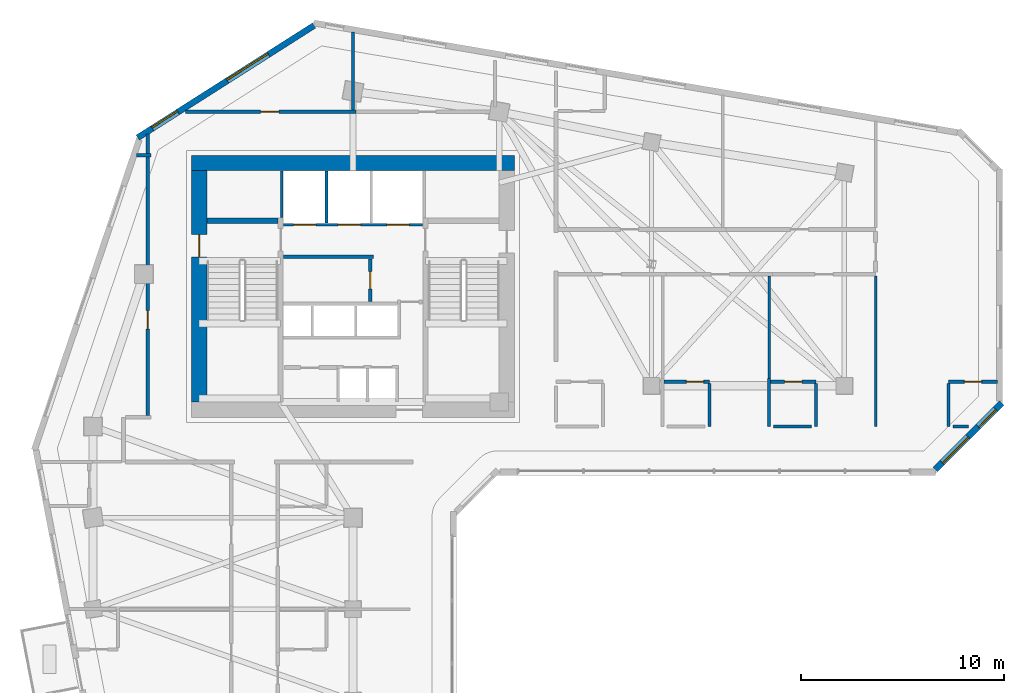
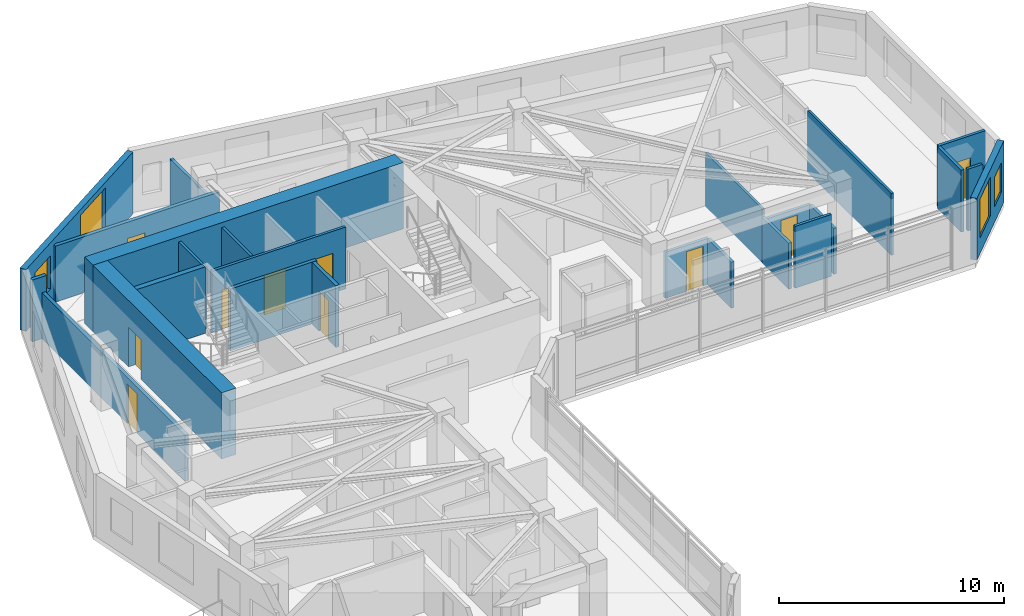
# One storey, part 7 of 12: 25 walls, 10 doors, 4 windows, 14 openings.
"""IFC4 building model written with IfcOpenShell, lengths in metres."""

from ifc_helpers import new_model, si_unit, direction, frame, frame_2d, origin, place, context, subcontext, project, spatial, rectangle, extrude, source, transform, mapped, material, layer, layer_set, type_object, element, fill, save


model = new_model("IFC4")

# Units and contexts
model_context = context("Model", 3, precision=1e-05, world=origin(), true_north=direction((0.0, 1.0)))
body_context = subcontext(model_context, "Body", "Model", "MODEL_VIEW")
ifc_project = project(units=[si_unit("LENGTHUNIT", "METRE"), si_unit("AREAUNIT", "SQUARE_METRE"), si_unit("VOLUMEUNIT", "CUBIC_METRE"), si_unit("PLANEANGLEUNIT", "RADIAN"), si_unit("MASSUNIT", "GRAM", prefix="KILO")], contexts=[model_context])

# Site, building, storey
site_placement = place(None, origin())
site = spatial("IfcSite", under=ifc_project, at=site_placement, CompositionType="ELEMENT")
building_placement = place(site_placement, origin())
building = spatial("IfcBuilding", under=site, at=building_placement, Name="Calvemar Wedge Station Tower", CompositionType="ELEMENT")
storey_placement = place(building_placement, frame((0.0, 0.0, 121.39990234375)))
storey = spatial("IfcBuildingStorey", under=building, at=storey_placement, Name="L29", CompositionType="ELEMENT", Elevation=121.39990234375)

# Walls
ifc_material_1 = material(Name="Concrete C50", Category="concrete")
ifc_layer_1 = layer(ifc_material_1, 0.260009765625)
ifc_layer_set_1 = layer_set([ifc_layer_1], Name="Concrete C50")
wall_type_1 = type_object("IfcWallType", Name="SW-CORE-260", PredefinedType="SHEAR", material=ifc_layer_set_1)
wall_1_placement = place(storey_placement, frame((16.60009765625, 43.1298828125, 0.0), z_axis=(0.0, 0.0, 1.0), x_axis=(1.0, 0.0, 0.0)))
element("IfcWall", 1, at=wall_1_placement, inside=storey, type_object=wall_type_1, Name="Storey L29 Core Shear Wall STC1-N", PredefinedType="SHEAR", context=body_context, shape_type="SweptSolid", body=[
    extrude(rectangle(XDim=3.5, YDim=0.260009765625, at=frame_2d((1.75, 0.0))), origin(), (0.0, 0.0, 1.0), 3.60009765625),
])
ifc_material_2 = material(Name="Concrete C70", Category="concrete")
ifc_layer_2 = layer(ifc_material_2, 0.75)
ifc_layer_set_2 = layer_set([ifc_layer_2], Name="Concrete C70")
wall_type_2 = type_object("IfcWallType", Name="SW-CORE-750", PredefinedType="SHEAR", material=ifc_layer_set_2)
wall_2_placement = place(storey_placement, frame((15.85009765625, 45.97509765625, 0.0), z_axis=(0.0, 0.0, 1.0), x_axis=(1.0, 0.0, 0.0)))
element("IfcWall", 2, at=wall_2_placement, inside=storey, type_object=wall_type_2, Name="Storey L29 Core Shear Wall N", PredefinedType="SHEAR", context=body_context, shape_type="SweptSolid", body=[
    extrude(rectangle(XDim=15.89990234375, YDim=0.75, at=frame_2d((7.949951171875, 0.0))), origin(), (0.0, 0.0, 1.0), 3.60009765625),
])

# Wall, opening, door
wall_3_placement = place(storey_placement, frame((16.22509765625, 34.199951171875, 0.0), z_axis=(0.0, 0.0, 1.0), x_axis=(0.0, 1.0, 0.0)))
wall_3 = element("IfcWall", 3, at=wall_3_placement, inside=storey, type_object=wall_type_2, Name="Storey L29 Core Shear Wall W", PredefinedType="SHEAR", context=body_context, shape_type="SweptSolid", body=[
    extrude(rectangle(XDim=11.400146484375, YDim=0.75, at=frame_2d((5.7001953125, 0.0))), origin(), (0.0, 0.0, 1.0), 3.60009765625),
])
shared_shape_1 = source(origin(), body_context, "Body", "SweptSolid", [
    extrude(rectangle(XDim=1.10009765625, YDim=2.14990234375, at=frame_2d((0.550048828125, 1.074951171875))), frame((0.0, 0.385009765625, 0.0), z_axis=(0.0, -1.0, 0.0), x_axis=(1.0, 0.0, 0.0)), (0.0, 0.0, 1.0), 0.77001953125),
])
opening_1_placement = place(wall_3_placement, frame((7.14990234375, 0.0, 0.0)))
opening_1 = element("IfcOpeningElement", 4, at=opening_1_placement, cuts=wall_3, Name="Opening FD-90", PredefinedType="OPENING", context=body_context, shape_type="MappedRepresentation", body=[
    mapped(shared_shape_1, transform((0.0, 0.0, 0.0), scale=1.0)),
])
ifc_material_3 = material(Name="Galvanized fire-rated steel door leaf P-90", Category="steel")
door_type_1 = type_object("IfcDoorType", Name="DR-FD90-1100", OperationType="NOTDEFINED", PredefinedType="DOOR", material=ifc_material_3)
shared_shape_2 = source(origin(), body_context, "Body", "SweptSolid", [
    extrude(rectangle(XDim=1.10009765625, YDim=2.14990234375, at=frame_2d((0.550048828125, 1.074951171875))), frame((0.0, 0.02490234375, 0.0), z_axis=(0.0, -1.0, 0.0), x_axis=(1.0, 0.0, 0.0)), (0.0, 0.0, 1.0), 0.050048828125),
])
door_1_placement = place(opening_1_placement, origin())
door_1 = element("IfcDoor", 5, at=door_1_placement, inside=storey, type_object=door_type_1, Name="L29 West Corridor to Exit Stair ST-C1 Door", OperationType="SINGLE_SWING_LEFT", OverallHeight=2.14990234375, OverallWidth=1.10009765625, PredefinedType="DOOR", context=body_context, shape_type="MappedRepresentation", body=[
    mapped(shared_shape_2, transform((0.0, 0.0, 0.0), scale=1.0)),
])
fill(opening_1, door_1)

# Wall
ifc_material_4 = material(Name="Double-stud fire-rated corridor partition")
ifc_layer_3 = layer(ifc_material_4, 0.179931640625)
ifc_layer_set_3 = layer_set([ifc_layer_3], Name="Double-stud fire-rated corridor partition")
wall_type_3 = type_object("IfcWallType", Name="W-CORR-180", PredefinedType="PARTITIONING", material=ifc_layer_set_3)
wall_4_placement = place(storey_placement, frame((24.81005859375, 41.35009765625, 0.0), z_axis=(0.0, 0.0, 1.0), x_axis=(-1.0, 0.0, 0.0)))
element("IfcWall", 6, at=wall_4_placement, inside=storey, type_object=wall_type_3, Name="Storey L29 Interior Partition WL-L29-001", PredefinedType="PARTITIONING", context=body_context, shape_type="SweptSolid", body=[
    extrude(rectangle(XDim=4.43017578125, YDim=0.179931640625, at=frame_2d((2.215087890625, 0.0))), origin(), (0.0, 0.0, 1.0), 3.35009765625),
])

# Wall, opening, door
wall_5_placement = place(storey_placement, frame((24.64990234375, 41.256103515625, 0.0), z_axis=(0.0, 0.0, 1.0), x_axis=(0.0, -1.0, 0.0)))
wall_5 = element("IfcWall", 7, at=wall_5_placement, inside=storey, type_object=wall_type_3, Name="Storey L29 Interior Partition WL-L29-002", PredefinedType="PARTITIONING", context=body_context, shape_type="SweptSolid", body=[
    extrude(rectangle(XDim=2.106201171875, YDim=0.179931640625, at=frame_2d((1.05322265625, 0.0))), origin(), (0.0, 0.0, 1.0), 3.35009765625),
])
shared_shape_3 = source(origin(), body_context, "Body", "SweptSolid", [
    extrude(rectangle(XDim=0.85009765625, YDim=2.14990234375, at=frame_2d((0.425048828125, 1.074951171875))), frame((0.0, 0.10009765625, 0.0), z_axis=(0.0, -1.0, 0.0), x_axis=(1.0, 0.0, 0.0)), (0.0, 0.0, 1.0), 0.199951171875),
])
opening_2_placement = place(wall_5_placement, frame((0.6279296875, 0.0, 0.0)))
opening_2 = element("IfcOpeningElement", 8, at=opening_2_placement, cuts=wall_5, Name="Opening FD-60S", PredefinedType="OPENING", context=body_context, shape_type="MappedRepresentation", body=[
    mapped(shared_shape_3, transform((0.0, 0.0, 0.0), scale=1.0)),
])
ifc_material_5 = material(Name="Fire-rated steel and hardwood service door EI 60", Category="steel")
door_type_2 = type_object("IfcDoorType", Name="DR-CORE-FD60-850", OperationType="NOTDEFINED", PredefinedType="DOOR", material=ifc_material_5)
shared_shape_4 = source(origin(), body_context, "Body", "SweptSolid", [
    extrude(rectangle(XDim=0.85009765625, YDim=2.14990234375, at=frame_2d((0.425048828125, 1.074951171875))), frame((0.0, 0.02490234375, 0.0), z_axis=(0.0, -1.0, 0.0), x_axis=(1.0, 0.0, 0.0)), (0.0, 0.0, 1.0), 0.050048828125),
])
door_2_placement = place(opening_2_placement, origin())
door_2 = element("IfcDoor", 9, at=door_2_placement, inside=storey, type_object=door_type_2, Name="L29 Cleaner and Linen Store Door", OperationType="SINGLE_SWING_LEFT", OverallHeight=2.14990234375, OverallWidth=0.85009765625, PredefinedType="DOOR", context=body_context, shape_type="MappedRepresentation", body=[
    mapped(shared_shape_4, transform((0.0, 0.0, 0.0), scale=1.0)),
])
fill(opening_2, door_2)

wall_6_placement = place(storey_placement, frame((13.699951171875, 33.5439453125, 0.0), z_axis=(0.0, 0.0, 1.0), x_axis=(0.0, 1.0, 0.0)))
wall_6 = element("IfcWall", 10, at=wall_6_placement, inside=storey, type_object=wall_type_3, Name="Storey L29 Interior Partition WL-L29-010", PredefinedType="PARTITIONING", context=body_context, shape_type="SweptSolid", body=[
    extrude(rectangle(XDim=13.860107421875, YDim=0.179931640625, at=frame_2d((6.93017578125, 0.0))), origin(), (0.0, 0.0, 1.0), 2.4921875),
])
shared_shape_5 = source(origin(), body_context, "Body", "SweptSolid", [
    extrude(rectangle(XDim=0.89990234375, YDim=2.14990234375, at=frame_2d((0.449951171875, 1.074951171875))), frame((0.0, 0.10009765625, 0.0), z_axis=(0.0, -1.0, 0.0), x_axis=(1.0, 0.0, 0.0)), (0.0, 0.0, 1.0), 0.199951171875),
])
opening_3_placement = place(wall_6_placement, frame((4.252685546875, 0.0, 0.0)))
opening_3 = element("IfcOpeningElement", 11, at=opening_3_placement, cuts=wall_6, Name="Opening D-01", PredefinedType="OPENING", context=body_context, shape_type="MappedRepresentation", body=[
    mapped(shared_shape_5, transform((0.0, 0.0, 0.0), scale=1.0)),
])
ifc_material_6 = material(Name="Architectural hardwood acoustic swing door", Category="wood")
door_type_3 = type_object("IfcDoorType", Name="DR-INT-900", OperationType="NOTDEFINED", PredefinedType="DOOR", material=ifc_material_6)
shared_shape_6 = source(origin(), body_context, "Body", "SweptSolid", [
    extrude(rectangle(XDim=0.89990234375, YDim=2.14990234375, at=frame_2d((0.449951171875, 1.074951171875))), frame((0.0, 0.02490234375, 0.0), z_axis=(0.0, -1.0, 0.0), x_axis=(1.0, 0.0, 0.0)), (0.0, 0.0, 1.0), 0.050048828125),
])
door_3_placement = place(opening_3_placement, origin())
door_3 = element("IfcDoor", 12, at=door_3_placement, inside=storey, type_object=door_type_3, Name="L29 Executive Lounge Door", OperationType="SINGLE_SWING_RIGHT", OverallHeight=2.14990234375, OverallWidth=0.89990234375, PredefinedType="DOOR", context=body_context, shape_type="MappedRepresentation", body=[
    mapped(shared_shape_6, transform((0.0, 0.0, 0.0), scale=1.0)),
])
fill(opening_3, door_3)

# Wall
wall_7_placement = place(storey_placement, frame((13.860107421875, 46.35009765625, 0.0), z_axis=(0.0, 0.0, 1.0), x_axis=(-1.0, 0.0, 0.0)))
element("IfcWall", 13, at=wall_7_placement, inside=storey, type_object=wall_type_3, Name="Storey L29 Interior Partition WL-L29-011", PredefinedType="PARTITIONING", context=body_context, shape_type="SweptSolid", body=[
    extrude(rectangle(XDim=0.73486328125, YDim=0.179931640625, at=frame_2d((0.367431640625, 0.0))), origin(), (0.0, 0.0, 1.0), 3.35009765625),
])

# Wall, opening, door
wall_8_placement = place(storey_placement, frame((15.552490234375, 48.5, 0.0), z_axis=(0.0, 0.0, 1.0), x_axis=(1.0, 0.0, 0.0)))
wall_8 = element("IfcWall", 14, at=wall_8_placement, inside=storey, type_object=wall_type_3, Name="Storey L29 Interior Partition WL-L29-012", PredefinedType="PARTITIONING", context=body_context, shape_type="SweptSolid", body=[
    extrude(rectangle(XDim=8.407470703125, YDim=0.179931640625, at=frame_2d((4.20361328125, 0.0))), origin(), (0.0, 0.0, 1.0), 3.0341796875),
])
opening_4_placement = place(wall_8_placement, frame((3.69287109375, 0.0, 0.0)))
opening_4 = element("IfcOpeningElement", 15, at=opening_4_placement, cuts=wall_8, Name="Opening D-01", PredefinedType="OPENING", context=body_context, shape_type="MappedRepresentation", body=[
    mapped(shared_shape_5, transform((0.0, 0.0, 0.0), scale=1.0)),
])
door_4_placement = place(opening_4_placement, origin())
door_4 = element("IfcDoor", 16, at=door_4_placement, inside=storey, type_object=door_type_3, Name="L29 Business Centre Door", OperationType="SINGLE_SWING_LEFT", OverallHeight=2.14990234375, OverallWidth=0.89990234375, PredefinedType="DOOR", context=body_context, shape_type="MappedRepresentation", body=[
    mapped(shared_shape_6, transform((0.0, 0.0, 0.0), scale=1.0)),
])
fill(opening_4, door_4)

# Wall, openings, windows
ifc_material_7 = material(Name="Precast concrete C45", Category="concrete")
ifc_layer_4 = layer(ifc_material_7, 0.300048828125)
ifc_layer_set_4 = layer_set([ifc_layer_4], Name="Precast concrete C45")
wall_type_4 = type_object("IfcWallType", Name="W-EXT-GFRC-300", PredefinedType="SOLIDWALL", material=ifc_layer_set_4)
wall_9_placement = place(storey_placement, frame((52.475830078125, 30.8798828125, 0.0), z_axis=(0.0, 0.0, 1.0), x_axis=(0.707106781187, 0.707106781187, 0.0)))
wall_9 = element("IfcWall", 17, at=wall_9_placement, inside=storey, type_object=wall_type_4, Name="Storey L29 Bronze GFRC Exterior Wall 7", PredefinedType="SOLIDWALL", context=body_context, shape_type="SweptSolid", body=[
    extrude(rectangle(XDim=4.638916015625, YDim=0.300048828125, at=frame_2d((2.3193359375, 0.0))), origin(), (0.0, 0.0, 1.0), 3.35009765625),
])
shared_shape_7 = source(origin(), body_context, "Body", "SweptSolid", [
    extrude(rectangle(XDim=1.800048828125, YDim=2.10009765625, at=frame_2d((0.89990234375, 1.050048828125))), frame((0.0, 0.16015625, 0.0), z_axis=(0.0, -1.0, 0.0), x_axis=(1.0, 0.0, 0.0)), (0.0, 0.0, 1.0), 0.320068359375),
])
opening_5_placement = place(wall_9_placement, frame((0.48193359375, 0.0, 0.85009765625)))
opening_5 = element("IfcOpeningElement", 18, at=opening_5_placement, cuts=wall_9, Name="Opening W2", PredefinedType="OPENING", context=body_context, shape_type="MappedRepresentation", body=[
    mapped(shared_shape_7, transform((0.0, 0.0, 0.0), scale=1.0)),
])
shared_shape_8 = source(origin(), body_context, "Body", "SweptSolid", [
    extrude(rectangle(XDim=1.199951171875, YDim=1.60009765625, at=frame_2d((0.60009765625, 0.800048828125))), frame((0.0, 0.16015625, 0.0), z_axis=(0.0, -1.0, 0.0), x_axis=(1.0, 0.0, 0.0)), (0.0, 0.0, 1.0), 0.320068359375),
])
opening_6_placement = place(wall_9_placement, frame((3.0009765625, 0.0, 0.85009765625)))
opening_6 = element("IfcOpeningElement", 19, at=opening_6_placement, cuts=wall_9, Name="Opening W5", PredefinedType="OPENING", context=body_context, shape_type="MappedRepresentation", body=[
    mapped(shared_shape_8, transform((0.0, 0.0, 0.0), scale=1.0)),
])
ifc_material_8 = material(Name="Low-E laminated insulated glass", Category="glass")
window_type_1 = type_object("IfcWindowType", Name="WIN-EXT-2", PartitioningType="SINGLE_PANEL", PredefinedType="WINDOW", material=ifc_material_8)
shared_shape_9 = source(origin(), body_context, "Body", "SweptSolid", [
    extrude(rectangle(XDim=1.800048828125, YDim=2.10009765625, at=frame_2d((0.89990234375, 1.050048828125))), frame((0.0, -0.014892578125, 0.0), z_axis=(0.0, -1.0, 0.0), x_axis=(1.0, 0.0, 0.0)), (0.0, 0.0, 1.0), 0.06005859375),
])
window_1_placement = place(opening_5_placement, origin())
window_1 = element("IfcWindow", 20, at=window_1_placement, inside=storey, type_object=window_type_1, Name="Storey L29 Recessed Window 7.1", OverallHeight=2.10009765625, OverallWidth=1.800048828125, PartitioningType="SINGLE_PANEL", PredefinedType="WINDOW", context=body_context, shape_type="MappedRepresentation", body=[
    mapped(shared_shape_9, transform((0.0, 0.0, 0.0), scale=1.0)),
])
fill(opening_5, window_1)
window_type_2 = type_object("IfcWindowType", Name="WIN-EXT-5", PartitioningType="SINGLE_PANEL", PredefinedType="WINDOW", material=ifc_material_8)
shared_shape_10 = source(origin(), body_context, "Body", "SweptSolid", [
    extrude(rectangle(XDim=1.199951171875, YDim=1.60009765625, at=frame_2d((0.60009765625, 0.800048828125))), frame((0.0, -0.014892578125, 0.0), z_axis=(0.0, -1.0, 0.0), x_axis=(1.0, 0.0, 0.0)), (0.0, 0.0, 1.0), 0.06005859375),
])
window_2_placement = place(opening_6_placement, origin())
window_2 = element("IfcWindow", 21, at=window_2_placement, inside=storey, type_object=window_type_2, Name="Storey L29 Recessed Window 7.2", OverallHeight=1.60009765625, OverallWidth=1.199951171875, PartitioningType="SINGLE_PANEL", PredefinedType="WINDOW", context=body_context, shape_type="MappedRepresentation", body=[
    mapped(shared_shape_10, transform((0.0, 0.0, 0.0), scale=1.0)),
])
fill(opening_6, window_2)

wall_10_placement = place(storey_placement, frame((21.874755859375, 52.742431640625, 0.0), z_axis=(0.0, 0.0, 1.0), x_axis=(-0.843662465249, -0.536873956092, 0.0)))
wall_10 = element("IfcWall", 22, at=wall_10_placement, inside=storey, type_object=wall_type_4, Name="Storey L29 Bronze GFRC Exterior Wall 11", PredefinedType="SOLIDWALL", context=body_context, shape_type="SweptSolid", body=[
    extrude(rectangle(XDim=10.283935546875, YDim=0.300048828125, at=frame_2d((5.14208984375, 0.0))), origin(), (0.0, 0.0, 1.0), 3.35009765625),
])
shared_shape_11 = source(origin(), body_context, "Body", "SweptSolid", [
    extrude(rectangle(XDim=2.39990234375, YDim=2.199951171875, at=frame_2d((1.199951171875, 1.10009765625))), frame((0.0, 0.16015625, 0.0), z_axis=(0.0, -1.0, 0.0), x_axis=(1.0, 0.0, 0.0)), (0.0, 0.0, 1.0), 0.320068359375),
])
opening_7_placement = place(wall_10_placement, frame((2.656005859375, 0.0, 0.85009765625)))
opening_7 = element("IfcOpeningElement", 23, at=opening_7_placement, cuts=wall_10, Name="Opening W1", PredefinedType="OPENING", context=body_context, shape_type="MappedRepresentation", body=[
    mapped(shared_shape_11, transform((0.0, 0.0, 0.0), scale=1.0)),
])
shared_shape_12 = source(origin(), body_context, "Body", "SweptSolid", [
    extrude(rectangle(XDim=1.5, YDim=1.800048828125, at=frame_2d((0.75, 0.89990234375))), frame((0.0, 0.16015625, 0.0), z_axis=(0.0, -1.0, 0.0), x_axis=(1.0, 0.0, 0.0)), (0.0, 0.0, 1.0), 0.320068359375),
])
opening_8_placement = place(wall_10_placement, frame((7.93701171875, 0.0, 0.85009765625)))
opening_8 = element("IfcOpeningElement", 24, at=opening_8_placement, cuts=wall_10, Name="Opening W3", PredefinedType="OPENING", context=body_context, shape_type="MappedRepresentation", body=[
    mapped(shared_shape_12, transform((0.0, 0.0, 0.0), scale=1.0)),
])
window_type_3 = type_object("IfcWindowType", Name="WIN-EXT-1", PartitioningType="SINGLE_PANEL", PredefinedType="WINDOW", material=ifc_material_8)
shared_shape_13 = source(origin(), body_context, "Body", "SweptSolid", [
    extrude(rectangle(XDim=2.39990234375, YDim=2.199951171875, at=frame_2d((1.199951171875, 1.10009765625))), frame((0.0, -0.014892578125, 0.0), z_axis=(0.0, -1.0, 0.0), x_axis=(1.0, 0.0, 0.0)), (0.0, 0.0, 1.0), 0.06005859375),
])
window_3_placement = place(opening_7_placement, origin())
window_3 = element("IfcWindow", 25, at=window_3_placement, inside=storey, type_object=window_type_3, Name="Storey L29 Recessed Window 11.1", OverallHeight=2.199951171875, OverallWidth=2.39990234375, PartitioningType="SINGLE_PANEL", PredefinedType="WINDOW", context=body_context, shape_type="MappedRepresentation", body=[
    mapped(shared_shape_13, transform((0.0, 0.0, 0.0), scale=1.0)),
])
fill(opening_7, window_3)
window_type_4 = type_object("IfcWindowType", Name="WIN-EXT-3", PartitioningType="SINGLE_PANEL", PredefinedType="WINDOW", material=ifc_material_8)
shared_shape_14 = source(origin(), body_context, "Body", "SweptSolid", [
    extrude(rectangle(XDim=1.5, YDim=1.800048828125, at=frame_2d((0.75, 0.89990234375))), frame((0.0, -0.014892578125, 0.0), z_axis=(0.0, -1.0, 0.0), x_axis=(1.0, 0.0, 0.0)), (0.0, 0.0, 1.0), 0.06005859375),
])
window_4_placement = place(opening_8_placement, origin())
window_4 = element("IfcWindow", 26, at=window_4_placement, inside=storey, type_object=window_type_4, Name="Storey L29 Recessed Window 11.2", OverallHeight=1.800048828125, OverallWidth=1.5, PartitioningType="SINGLE_PANEL", PredefinedType="WINDOW", context=body_context, shape_type="MappedRepresentation", body=[
    mapped(shared_shape_14, transform((0.0, 0.0, 0.0), scale=1.0)),
])
fill(opening_8, window_4)

# Wall, openings, doors
ifc_material_9 = material(Name="Reinforced concrete blockwork lift shaft wall", Category="masonry")
ifc_layer_5 = layer(ifc_material_9, 0.139892578125)
ifc_layer_set_5 = layer_set([ifc_layer_5], Name="Reinforced concrete blockwork lift shaft wall")
wall_type_5 = type_object("IfcWallType", Name="W-LIFT-160", PredefinedType="SOLIDWALL", material=ifc_layer_set_5)
wall_11_placement = place(storey_placement, frame((20.3701171875, 42.929931640625, 0.0), z_axis=(0.0, 0.0, 1.0), x_axis=(1.0, 0.0, 0.0)))
wall_11 = element("IfcWall", 27, at=wall_11_placement, inside=storey, type_object=wall_type_5, Name="Storey L29 Firefighting and Service Lift Shaft Front Wall", PredefinedType="SOLIDWALL", context=body_context, shape_type="SweptSolid", body=[
    extrude(rectangle(XDim=6.85986328125, YDim=0.139892578125, at=frame_2d((3.429931640625, 0.0))), origin(), (0.0, 0.0, 1.0), 3.35009765625),
])
shared_shape_15 = source(origin(), body_context, "Body", "SweptSolid", [
    extrude(rectangle(XDim=1.10009765625, YDim=2.14990234375, at=frame_2d((0.550048828125, 1.074951171875))), frame((0.0, 0.080078125, 0.0), z_axis=(0.0, -1.0, 0.0), x_axis=(1.0, 0.0, 0.0)), (0.0, 0.0, 1.0), 0.159912109375),
])
opening_9_placement = place(wall_11_placement, frame((0.5, 0.0, 0.0)))
opening_9 = element("IfcOpeningElement", 28, at=opening_9_placement, cuts=wall_11, Name="Opening LD-FF", PredefinedType="OPENING", context=body_context, shape_type="MappedRepresentation", body=[
    mapped(shared_shape_15, transform((0.0, 0.0, 0.0), scale=1.0)),
])
opening_10_placement = place(wall_11_placement, frame((2.699951171875, 0.0, 0.0)))
opening_10 = element("IfcOpeningElement", 29, at=opening_10_placement, cuts=wall_11, Name="Opening LD-FF", PredefinedType="OPENING", context=body_context, shape_type="MappedRepresentation", body=[
    mapped(shared_shape_15, transform((0.0, 0.0, 0.0), scale=1.0)),
])
opening_11_placement = place(wall_11_placement, frame((5.10009765625, 0.0, 0.0)))
opening_11 = element("IfcOpeningElement", 30, at=opening_11_placement, cuts=wall_11, Name="Opening LD-STN", PredefinedType="OPENING", context=body_context, shape_type="MappedRepresentation", body=[
    mapped(shared_shape_15, transform((0.0, 0.0, 0.0), scale=1.0)),
])
ifc_material_10 = material(Name="Stainless steel firefighting lift sliding landing door", Category="steel")
door_type_4 = type_object("IfcDoorType", Name="DR-LD-FF-1100", OperationType="SLIDING_TO_LEFT", PredefinedType="DOOR", material=ifc_material_10)
shared_shape_16 = source(origin(), body_context, "Body", "SweptSolid", [
    extrude(rectangle(XDim=1.10009765625, YDim=2.14990234375, at=frame_2d((0.550048828125, 1.074951171875))), frame((0.0, 0.02490234375, 0.0), z_axis=(0.0, -1.0, 0.0), x_axis=(1.0, 0.0, 0.0)), (0.0, 0.0, 1.0), 0.050048828125),
])
door_5_placement = place(opening_9_placement, origin())
door_5 = element("IfcDoor", 31, at=door_5_placement, inside=storey, type_object=door_type_4, Name="L29 Lift FF-01 Sliding Landing Door", OperationType="SLIDING_TO_LEFT", OverallHeight=2.14990234375, OverallWidth=1.10009765625, PredefinedType="DOOR", context=body_context, shape_type="MappedRepresentation", body=[
    mapped(shared_shape_16, transform((0.0, 0.0, 0.0), scale=1.0)),
])
fill(opening_9, door_5)
door_6_placement = place(opening_10_placement, origin())
door_6 = element("IfcDoor", 32, at=door_6_placement, inside=storey, type_object=door_type_4, Name="L29 Lift FF-02 Sliding Landing Door", OperationType="SLIDING_TO_RIGHT", OverallHeight=2.14990234375, OverallWidth=1.10009765625, PredefinedType="DOOR", context=body_context, shape_type="MappedRepresentation", body=[
    mapped(shared_shape_16, transform((0.0, 0.0, 0.0), scale=1.0)),
])
fill(opening_10, door_6)
ifc_material_11 = material(Name="Stainless steel transit lift sliding landing door", Category="steel")
door_type_5 = type_object("IfcDoorType", Name="DR-LD-PAX-1100", OperationType="SLIDING_TO_LEFT", PredefinedType="DOOR", material=ifc_material_11)
shared_shape_17 = source(origin(), body_context, "Body", "SweptSolid", [
    extrude(rectangle(XDim=1.10009765625, YDim=2.14990234375, at=frame_2d((0.550048828125, 1.074951171875))), frame((0.0, 0.02490234375, 0.0), z_axis=(0.0, -1.0, 0.0), x_axis=(1.0, 0.0, 0.0)), (0.0, 0.0, 1.0), 0.050048828125),
])
door_7_placement = place(opening_11_placement, origin())
door_7 = element("IfcDoor", 33, at=door_7_placement, inside=storey, type_object=door_type_5, Name="L29 Lift SV-01 Sliding Landing Door", OperationType="SLIDING_TO_LEFT", OverallHeight=2.14990234375, OverallWidth=1.10009765625, PredefinedType="DOOR", context=body_context, shape_type="MappedRepresentation", body=[
    mapped(shared_shape_17, transform((0.0, 0.0, 0.0), scale=1.0)),
])
fill(opening_11, door_7)

# Walls
wall_12_placement = place(storey_placement, frame((20.2900390625, 43.280029296875, 0.0), z_axis=(0.0, 0.0, 1.0), x_axis=(0.0, 1.0, 0.0)))
element("IfcWall", 34, at=wall_12_placement, inside=storey, type_object=wall_type_5, Name="Storey L29 Firefighting Lift Shaft Enclosure Wall W", PredefinedType="SOLIDWALL", context=body_context, shape_type="SweptSolid", body=[
    extrude(rectangle(XDim=2.300048828125, YDim=0.139892578125, at=frame_2d((1.14990234375, 0.0))), origin(), (0.0, 0.0, 1.0), 3.35009765625),
])
wall_13_placement = place(storey_placement, frame((22.5, 43.02001953125, 0.0), z_axis=(0.0, 0.0, 1.0), x_axis=(0.0, 1.0, 0.0)))
element("IfcWall", 35, at=wall_13_placement, inside=storey, type_object=wall_type_5, Name="Storey L29 Firefighting Lift Shaft Enclosure Wall D1", PredefinedType="SOLIDWALL", context=body_context, shape_type="SweptSolid", body=[
    extrude(rectangle(XDim=2.56005859375, YDim=0.139892578125, at=frame_2d((1.280029296875, 0.0))), origin(), (0.0, 0.0, 1.0), 3.35009765625),
])
ifc_material_12 = material(Name="Insulated acoustic gypsum stud partition")
ifc_layer_6 = layer(ifc_material_12, 0.125)
ifc_layer_set_6 = layer_set([ifc_layer_6], Name="Insulated acoustic gypsum stud partition")
wall_type_6 = type_object("IfcWallType", Name="W-PART-125", PredefinedType="PARTITIONING", material=ifc_layer_set_6)
wall_14_placement = place(storey_placement, frame((44.2900390625, 40.406005859375, 0.0), z_axis=(0.0, 0.0, 1.0), x_axis=(0.0, -1.0, 0.0)))
element("IfcWall", 36, at=wall_14_placement, inside=storey, type_object=wall_type_6, Name="Storey L29 Interior Partition WL-L29-033", PredefinedType="PARTITIONING", context=body_context, shape_type="SweptSolid", body=[
    extrude(rectangle(XDim=5.0439453125, YDim=0.125, at=frame_2d((2.52197265625, 0.0))), origin(), (0.0, 0.0, 1.0), 2.922119140625),
])
wall_15_placement = place(storey_placement, frame((49.534912109375, 40.406005859375, 0.0), z_axis=(0.0, 0.0, 1.0), x_axis=(0.0, -1.0, 0.0)))
element("IfcWall", 37, at=wall_15_placement, inside=storey, type_object=wall_type_6, Name="Storey L29 Interior Partition WL-L29-036", PredefinedType="PARTITIONING", context=body_context, shape_type="SweptSolid", body=[
    extrude(rectangle(XDim=7.406005859375, YDim=0.125, at=frame_2d((3.703125, 0.0))), origin(), (0.0, 0.0, 1.0), 3.35009765625),
])
ifc_material_13 = material(Name="Moisture-resistant acoustic bathroom partition")
ifc_layer_7 = layer(ifc_material_13, 0.14990234375)
ifc_layer_set_7 = layer_set([ifc_layer_7], Name="Moisture-resistant acoustic bathroom partition")
wall_type_7 = type_object("IfcWallType", Name="W-WET-150", PredefinedType="PARTITIONING", material=ifc_layer_set_7)
wall_16_placement = place(storey_placement, frame((23.800048828125, 52.425048828125, 0.0), z_axis=(0.0, 0.0, 1.0), x_axis=(0.0, -1.0, 0.0)))
element("IfcWall", 38, at=wall_16_placement, inside=storey, type_object=wall_type_7, Name="Storey L29 Interior Partition WL-L29-019", PredefinedType="PARTITIONING", context=body_context, shape_type="SweptSolid", body=[
    extrude(rectangle(XDim=3.8310546875, YDim=0.14990234375, at=frame_2d((1.91552734375, 0.0))), origin(), (0.0, 0.0, 1.0), 2.4921875),
])

# Wall, opening, door
wall_17_placement = place(storey_placement, frame((39.1240234375, 35.199951171875, 0.0), z_axis=(0.0, 0.0, 1.0), x_axis=(1.0, 0.0, 0.0)))
wall_17 = element("IfcWall", 39, at=wall_17_placement, inside=storey, type_object=wall_type_7, Name="Storey L29 Interior Partition WL-L29-030", PredefinedType="PARTITIONING", context=body_context, shape_type="SweptSolid", body=[
    extrude(rectangle(XDim=2.22900390625, YDim=0.14990234375, at=frame_2d((1.114501953125, 0.0))), origin(), (0.0, 0.0, 1.0), 2.4921875),
])
shared_shape_18 = source(origin(), body_context, "Body", "SweptSolid", [
    extrude(rectangle(XDim=0.85009765625, YDim=2.14990234375, at=frame_2d((0.425048828125, 1.074951171875))), frame((0.0, 0.0849609375, 0.0), z_axis=(0.0, -1.0, 0.0), x_axis=(1.0, 0.0, 0.0)), (0.0, 0.0, 1.0), 0.169921875),
])
opening_12_placement = place(wall_17_placement, frame((1.09912109375, 0.0, 0.0)))
opening_12 = element("IfcOpeningElement", 40, at=opening_12_placement, cuts=wall_17, Name="Opening D-02", PredefinedType="OPENING", context=body_context, shape_type="MappedRepresentation", body=[
    mapped(shared_shape_18, transform((0.0, 0.0, 0.0), scale=1.0)),
])
ifc_material_14 = material(Name="Moisture-sealed bathroom hardwood swing door", Category="wood")
door_type_6 = type_object("IfcDoorType", Name="DR-WET-850", OperationType="NOTDEFINED", PredefinedType="DOOR", material=ifc_material_14)
shared_shape_19 = source(origin(), body_context, "Body", "SweptSolid", [
    extrude(rectangle(XDim=0.85009765625, YDim=2.14990234375, at=frame_2d((0.425048828125, 1.074951171875))), frame((0.0, 0.02490234375, 0.0), z_axis=(0.0, -1.0, 0.0), x_axis=(1.0, 0.0, 0.0)), (0.0, 0.0, 1.0), 0.050048828125),
])
door_8_placement = place(opening_12_placement, origin())
door_8 = element("IfcDoor", 41, at=door_8_placement, inside=storey, type_object=door_type_6, Name="L29 En-Suite Bathroom Door", OperationType="SINGLE_SWING_LEFT", OverallHeight=2.14990234375, OverallWidth=0.85009765625, PredefinedType="DOOR", context=body_context, shape_type="MappedRepresentation", body=[
    mapped(shared_shape_19, transform((0.0, 0.0, 0.0), scale=1.0)),
])
fill(opening_12, door_8)

# Walls
wall_18_placement = place(storey_placement, frame((41.35302734375, 35.12109375, 0.0), z_axis=(0.0, 0.0, 1.0), x_axis=(0.0, -1.0, 0.0)))
element("IfcWall", 42, at=wall_18_placement, inside=storey, type_object=wall_type_7, Name="Storey L29 Interior Partition WL-L29-031", PredefinedType="PARTITIONING", context=body_context, shape_type="SweptSolid", body=[
    extrude(rectangle(XDim=2.12109375, YDim=0.14990234375, at=frame_2d((1.060546875, 0.0))), origin(), (0.0, 0.0, 1.0), 2.4921875),
])
wall_19_placement = place(storey_placement, frame((44.2900390625, 35.360107421875, 0.0), z_axis=(0.0, 0.0, 1.0), x_axis=(0.0, -1.0, 0.0)))
element("IfcWall", 43, at=wall_19_placement, inside=storey, type_object=wall_type_7, Name="Storey L29 Interior Partition WL-L29-032", PredefinedType="PARTITIONING", context=body_context, shape_type="SweptSolid", body=[
    extrude(rectangle(XDim=2.360107421875, YDim=0.14990234375, at=frame_2d((1.18017578125, 0.0))), origin(), (0.0, 0.0, 1.0), 2.4921875),
])

# Wall, opening, door
wall_20_placement = place(storey_placement, frame((44.368896484375, 35.199951171875, 0.0), z_axis=(0.0, 0.0, 1.0), x_axis=(1.0, 0.0, 0.0)))
wall_20 = element("IfcWall", 44, at=wall_20_placement, inside=storey, type_object=wall_type_7, Name="Storey L29 Interior Partition WL-L29-034", PredefinedType="PARTITIONING", context=body_context, shape_type="SweptSolid", body=[
    extrude(rectangle(XDim=2.22900390625, YDim=0.14990234375, at=frame_2d((1.114501953125, 0.0))), origin(), (0.0, 0.0, 1.0), 2.4921875),
])
opening_13_placement = place(wall_20_placement, frame((0.689453125, 0.0, 0.0)))
opening_13 = element("IfcOpeningElement", 45, at=opening_13_placement, cuts=wall_20, Name="Opening D-02", PredefinedType="OPENING", context=body_context, shape_type="MappedRepresentation", body=[
    mapped(shared_shape_18, transform((0.0, 0.0, 0.0), scale=1.0)),
])
door_9_placement = place(opening_13_placement, origin())
door_9 = element("IfcDoor", 46, at=door_9_placement, inside=storey, type_object=door_type_6, Name="L29 En-Suite Bathroom Door", OperationType="SINGLE_SWING_LEFT", OverallHeight=2.14990234375, OverallWidth=0.85009765625, PredefinedType="DOOR", context=body_context, shape_type="MappedRepresentation", body=[
    mapped(shared_shape_19, transform((0.0, 0.0, 0.0), scale=1.0)),
])
fill(opening_13, door_9)

# Wall
wall_21_placement = place(storey_placement, frame((46.597900390625, 35.12109375, 0.0), z_axis=(0.0, 0.0, 1.0), x_axis=(0.0, -1.0, 0.0)))
element("IfcWall", 47, at=wall_21_placement, inside=storey, type_object=wall_type_7, Name="Storey L29 Interior Partition WL-L29-035", PredefinedType="PARTITIONING", context=body_context, shape_type="SweptSolid", body=[
    extrude(rectangle(XDim=2.12109375, YDim=0.14990234375, at=frame_2d((1.060546875, 0.0))), origin(), (0.0, 0.0, 1.0), 2.4921875),
])

# Wall, opening, door
wall_22_placement = place(storey_placement, frame((53.135009765625, 35.199951171875, 0.0), z_axis=(0.0, 0.0, 1.0), x_axis=(1.0, 0.0, 0.0)))
wall_22 = element("IfcWall", 48, at=wall_22_placement, inside=storey, type_object=wall_type_7, Name="Storey L29 Interior Partition WL-L29-041", PredefinedType="PARTITIONING", context=body_context, shape_type="SweptSolid", body=[
    extrude(rectangle(XDim=2.39990234375, YDim=0.14990234375, at=frame_2d((1.199951171875, 0.0))), origin(), (0.0, 0.0, 1.0), 3.35009765625),
])
opening_14_placement = place(wall_22_placement, frame((0.77490234375, 0.0, 0.0)))
opening_14 = element("IfcOpeningElement", 49, at=opening_14_placement, cuts=wall_22, Name="Opening D-02", PredefinedType="OPENING", context=body_context, shape_type="MappedRepresentation", body=[
    mapped(shared_shape_18, transform((0.0, 0.0, 0.0), scale=1.0)),
])
door_10_placement = place(opening_14_placement, origin())
door_10 = element("IfcDoor", 50, at=door_10_placement, inside=storey, type_object=door_type_6, Name="L29 En-Suite Bathroom Door", OperationType="SINGLE_SWING_RIGHT", OverallHeight=2.14990234375, OverallWidth=0.85009765625, PredefinedType="DOOR", context=body_context, shape_type="MappedRepresentation", body=[
    mapped(shared_shape_19, transform((0.0, 0.0, 0.0), scale=1.0)),
])
fill(opening_14, door_10)

# Walls
wall_23_placement = place(storey_placement, frame((53.135009765625, 33.0, 0.0), z_axis=(0.0, 0.0, 1.0), x_axis=(0.0, 1.0, 0.0)))
element("IfcWall", 51, at=wall_23_placement, inside=storey, type_object=wall_type_7, Name="Storey L29 Interior Partition WL-L29-042", PredefinedType="PARTITIONING", context=body_context, shape_type="SweptSolid", body=[
    extrude(rectangle(XDim=2.12109375, YDim=0.14990234375, at=frame_2d((1.060546875, 0.0))), origin(), (0.0, 0.0, 1.0), 3.35009765625),
])
wall_24_placement = place(storey_placement, frame((46.3779296875, 33.0, 0.0), z_axis=(0.0, 0.0, 1.0), x_axis=(-1.0, 0.0, 0.0)))
element("IfcWall", 52, at=wall_24_placement, inside=storey, type_object=wall_type_7, Name="Storey L29 Bathroom Enclosure Wall WL-L29-076", PredefinedType="PARTITIONING", context=body_context, shape_type="SweptSolid", body=[
    extrude(rectangle(XDim=1.867919921875, YDim=0.14990234375, at=frame_2d((0.93408203125, 0.0))), origin(), (0.0, 0.0, 1.0), 3.35009765625),
])
wall_25_placement = place(storey_placement, frame((54.1220703125, 33.0, 0.0), z_axis=(0.0, 0.0, 1.0), x_axis=(-1.0, 0.0, 0.0)))
element("IfcWall", 53, at=wall_25_placement, inside=storey, type_object=wall_type_7, Name="Storey L29 Bathroom Enclosure Wall WL-L29-078", PredefinedType="PARTITIONING", context=body_context, shape_type="SweptSolid", body=[
    extrude(rectangle(XDim=0.76708984375, YDim=0.14990234375, at=frame_2d((0.383544921875, 0.0))), origin(), (0.0, 0.0, 1.0), 3.35009765625),
])

save(model, "model.ifc")
